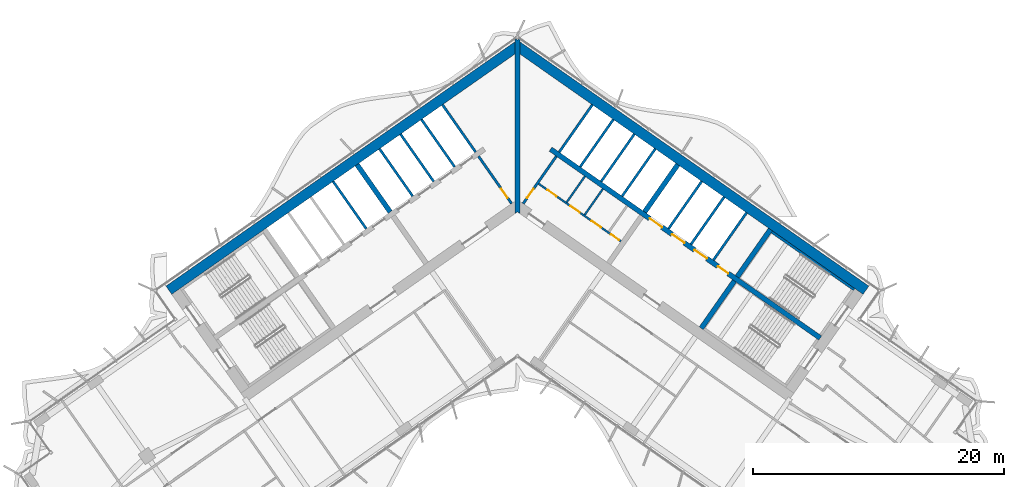
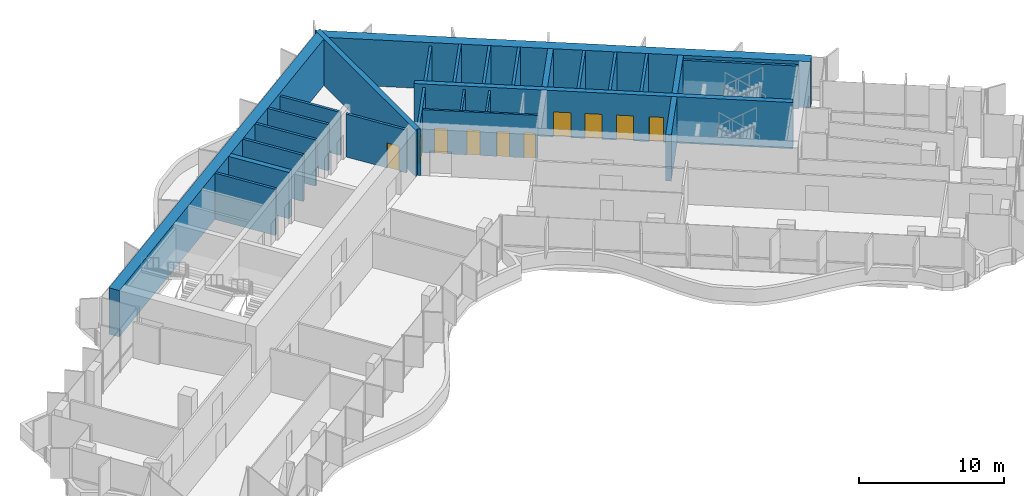
# One storey, part 14 of 21: 26 walls, 10 doors, 10 openings.
"""IFC4 building model written with IfcOpenShell, lengths in metres."""

from ifc_helpers import new_model, si_unit, direction, frame, frame_2d, origin, place, context, subcontext, project, spatial, polyline, rectangle, outline, extrude, material, layer, layer_set, type_object, element, fill, save


model = new_model("IFC4")

# Units and contexts
model_context = context("Model", 3, precision=1e-05, world=origin(), true_north=direction((0.0, 1.0)))
body_context = subcontext(model_context, "Body", "Model", "MODEL_VIEW")
ifc_project = project(units=[si_unit("LENGTHUNIT", "METRE"), si_unit("AREAUNIT", "SQUARE_METRE"), si_unit("VOLUMEUNIT", "CUBIC_METRE"), si_unit("PLANEANGLEUNIT", "RADIAN"), si_unit("MASSUNIT", "GRAM", prefix="KILO")], contexts=[model_context])

# Site, building, storey
site_placement = place(None, origin())
site = spatial("IfcSite", under=ifc_project, at=site_placement, CompositionType="ELEMENT")
building_placement = place(site_placement, origin())
building = spatial("IfcBuilding", under=site, at=building_placement, Name="Tel Ilan Convention Tower", CompositionType="ELEMENT")
storey_placement = place(building_placement, frame((0.0, 0.0, 155.39990234375)))
storey = spatial("IfcBuildingStorey", under=building, at=storey_placement, Name="L35", CompositionType="ELEMENT", Elevation=155.39990234375)

# Wall, openings, doors
ifc_material_1 = material(Name="Gypsum Plasterboard on Steel Stud", Category="steel")
ifc_layer_1 = layer(ifc_material_1, 0.14990234375)
ifc_layer_set_1 = layer_set([ifc_layer_1], Name="Core Room Partition Wall 150 mm EI 60")
wall_type_1 = type_object("IfcWallType", Name="Core Room Partition Wall 150 mm EI 60", PredefinedType="PARTITIONING", material=ifc_layer_set_1)
wall_1_placement = place(storey_placement, frame((1.687744140625, 1.015625, 0.0), z_axis=(0.0, 0.0, 1.0), x_axis=(0.819151624752, -0.573577035512, 0.0)))
wall_1 = element("IfcWall", 1, at=wall_1_placement, inside=storey, type_object=wall_type_1, Name="L35 core wall wc-h1", PredefinedType="PARTITIONING", context=body_context, shape_type="SweptSolid", body=[
    extrude(rectangle(XDim=8.0, YDim=0.14990234375, at=frame_2d((4.0, 0.0))), origin(), (0.0, 0.0, 1.0), 3.6201171875),
])
opening_1_placement = place(wall_1_placement, frame((0.85009765625, 0.0, 0.0)))
opening_1 = element("IfcOpeningElement", 2, at=opening_1_placement, cuts=wall_1, Name="Opening CD2711", PredefinedType="OPENING", context=body_context, shape_type="SweptSolid", body=[
    extrude(rectangle(XDim=0.89990234375, YDim=2.10009765625, at=frame_2d((0.449951171875, 1.050048828125))), frame((0.0, 0.0849609375, 0.0), z_axis=(0.0, -1.0, 0.0), x_axis=(1.0, 0.0, 0.0)), (0.0, 0.0, 1.0), 0.169921875),
])
opening_2_placement = place(wall_1_placement, frame((3.10009765625, 0.0, 0.0)))
opening_2 = element("IfcOpeningElement", 3, at=opening_2_placement, cuts=wall_1, Name="Opening CD2708", PredefinedType="OPENING", context=body_context, shape_type="SweptSolid", body=[
    extrude(rectangle(XDim=0.89990234375, YDim=2.10009765625, at=frame_2d((0.449951171875, 1.050048828125))), frame((0.0, 0.0849609375, 0.0), z_axis=(0.0, -1.0, 0.0), x_axis=(1.0, 0.0, 0.0)), (0.0, 0.0, 1.0), 0.169921875),
])
opening_3_placement = place(wall_1_placement, frame((5.14990234375, 0.0, 0.0)))
opening_3 = element("IfcOpeningElement", 4, at=opening_3_placement, cuts=wall_1, Name="Opening CD2710", PredefinedType="OPENING", context=body_context, shape_type="SweptSolid", body=[
    extrude(rectangle(XDim=0.89990234375, YDim=2.10009765625, at=frame_2d((0.449951171875, 1.050048828125))), frame((0.0, 0.0849609375, 0.0), z_axis=(0.0, -1.0, 0.0), x_axis=(1.0, 0.0, 0.0)), (0.0, 0.0, 1.0), 0.169921875),
])
opening_4_placement = place(wall_1_placement, frame((7.02490234375, 0.0, 0.0)))
opening_4 = element("IfcOpeningElement", 5, at=opening_4_placement, cuts=wall_1, Name="Opening CD2709", PredefinedType="OPENING", context=body_context, shape_type="SweptSolid", body=[
    extrude(rectangle(XDim=0.800048828125, YDim=2.10009765625, at=frame_2d((0.39990234375, 1.050048828125))), frame((0.0, 0.0849609375, 0.0), z_axis=(0.0, -1.0, 0.0), x_axis=(1.0, 0.0, 0.0)), (0.0, 0.0, 1.0), 0.169921875),
])
ifc_material_2 = material(Name="Galvanised Steel Door Leaf", Category="steel")
door_type_1 = type_object("IfcDoorType", Name="Store Door 800 x 2100 FD60", OperationType="NOTDEFINED", PredefinedType="DOOR", material=ifc_material_2)
door_1_placement = place(opening_4_placement, origin())
door_1 = element("IfcDoor", 6, at=door_1_placement, inside=storey, type_object=door_type_1, Name="Cleaner's store door", OperationType="SINGLE_SWING_RIGHT", OverallHeight=2.10009765625, OverallWidth=0.800048828125, PredefinedType="DOOR", context=body_context, shape_type="SweptSolid", body=[
    extrude(rectangle(XDim=0.800048828125, YDim=2.10009765625, at=frame_2d((0.39990234375, 1.050048828125))), frame((0.0, 0.02490234375, 0.0), z_axis=(0.0, -1.0, 0.0), x_axis=(1.0, 0.0, 0.0)), (0.0, 0.0, 1.0), 0.050048828125),
])
fill(opening_4, door_1)
ifc_material_3 = material(Name="Laminated Timber Door Leaf", Category="wood")
door_type_2 = type_object("IfcDoorType", Name="Toilet Door 900 x 2100 FD30S", OperationType="NOTDEFINED", PredefinedType="DOOR", material=ifc_material_3)
door_2_placement = place(opening_1_placement, origin())
door_2 = element("IfcDoor", 7, at=door_2_placement, inside=storey, type_object=door_type_2, Name="Women's WC door", OperationType="SINGLE_SWING_RIGHT", OverallHeight=2.10009765625, OverallWidth=0.89990234375, PredefinedType="DOOR", context=body_context, shape_type="SweptSolid", body=[
    extrude(rectangle(XDim=0.89990234375, YDim=2.10009765625, at=frame_2d((0.449951171875, 1.050048828125))), frame((0.0, 0.02490234375, 0.0), z_axis=(0.0, -1.0, 0.0), x_axis=(1.0, 0.0, 0.0)), (0.0, 0.0, 1.0), 0.050048828125),
])
fill(opening_1, door_2)
door_3_placement = place(opening_2_placement, origin())
door_3 = element("IfcDoor", 8, at=door_3_placement, inside=storey, type_object=door_type_2, Name="Accessible WC door", OperationType="SINGLE_SWING_RIGHT", OverallHeight=2.10009765625, OverallWidth=0.89990234375, PredefinedType="DOOR", context=body_context, shape_type="SweptSolid", body=[
    extrude(rectangle(XDim=0.89990234375, YDim=2.10009765625, at=frame_2d((0.449951171875, 1.050048828125))), frame((0.0, 0.02490234375, 0.0), z_axis=(0.0, -1.0, 0.0), x_axis=(1.0, 0.0, 0.0)), (0.0, 0.0, 1.0), 0.050048828125),
])
fill(opening_2, door_3)
door_4_placement = place(opening_3_placement, origin())
door_4 = element("IfcDoor", 9, at=door_4_placement, inside=storey, type_object=door_type_2, Name="Men's WC door", OperationType="SINGLE_SWING_RIGHT", OverallHeight=2.10009765625, OverallWidth=0.89990234375, PredefinedType="DOOR", context=body_context, shape_type="SweptSolid", body=[
    extrude(rectangle(XDim=0.89990234375, YDim=2.10009765625, at=frame_2d((0.449951171875, 1.050048828125))), frame((0.0, 0.02490234375, 0.0), z_axis=(0.0, -1.0, 0.0), x_axis=(1.0, 0.0, 0.0)), (0.0, 0.0, 1.0), 0.050048828125),
])
fill(opening_3, door_4)

# Walls
for number, where, z_axis, x_axis, name in (
    (10, (3.922119140625, -0.457275390625, 0.0), (0.0, 0.0, 1.0), (0.573566168143, 0.81915923407, 0.0), "L35 core wall wc-v0"),
    (11, (5.35546875, -1.4609375, 0.0), (0.0, 0.0, 1.0), (0.573566168143, 0.81915923407, 0.0), "L35 core wall wc-v1"),
):
    element("IfcWall", number, at=place(storey_placement, frame(where, z_axis=z_axis, x_axis=x_axis)), inside=storey, type_object=wall_type_1, Name=name, PredefinedType="PARTITIONING", context=body_context, shape_type="SweptSolid", body=[
        extrude(rectangle(XDim=2.52490234375, YDim=0.14990234375, at=frame_2d((1.262451171875, 0.0))), origin(), (0.0, 0.0, 1.0), 3.6201171875),
    ])

# Wall, opening, door
ifc_material_4 = material(Name="Concrete C30/37", Category="concrete")
ifc_layer_2 = layer(ifc_material_4, 0.199951171875)
ifc_layer_set_2 = layer_set([ifc_layer_2], Name="Core Service Room Wall 200 mm C30/37")
wall_type_2 = type_object("IfcWallType", Name="Core Service Room Wall 200 mm C30/37", PredefinedType="SOLIDWALL", material=ifc_layer_set_2)
wall_2_placement = place(storey_placement, frame((-0.458740234375, -0.565185546875, 0.0), z_axis=(0.0, 0.0, 1.0), x_axis=(-0.573576324356, 0.819152122709, 0.0)))
wall_2 = element("IfcWall", 12, at=wall_2_placement, inside=storey, type_object=wall_type_2, Name="L35 core wall apex-W", PredefinedType="SOLIDWALL", context=body_context, shape_type="SweptSolid", body=[
    extrude(rectangle(XDim=4.599853515625, YDim=0.199951171875, at=frame_2d((2.2998046875, 0.0))), origin(), (0.0, 0.0, 1.0), 3.6201171875),
])
opening_5_placement = place(wall_2_placement, frame((0.550048828125, 0.0, 0.0)))
opening_5 = element("IfcOpeningElement", 13, at=opening_5_placement, cuts=wall_2, Name="Opening CD2702", PredefinedType="OPENING", context=body_context, shape_type="SweptSolid", body=[
    extrude(rectangle(XDim=0.89990234375, YDim=2.10009765625, at=frame_2d((0.449951171875, 1.050048828125))), frame((0.0, 0.10986328125, 0.0), z_axis=(0.0, -1.0, 0.0), x_axis=(1.0, 0.0, 0.0)), (0.0, 0.0, 1.0), 0.219970703125),
])
ifc_material_5 = material(Name="Galvanised Steel Door Leaf", Category="steel")
door_type_3 = type_object("IfcDoorType", Name="Service Room Door 900 x 2100 FD60", OperationType="NOTDEFINED", PredefinedType="DOOR", material=ifc_material_5)
door_5_placement = place(opening_5_placement, origin())
door_5 = element("IfcDoor", 14, at=door_5_placement, inside=storey, type_object=door_type_3, Name="Telecom Room door", OperationType="SINGLE_SWING_RIGHT", OverallHeight=2.10009765625, OverallWidth=0.89990234375, PredefinedType="DOOR", context=body_context, shape_type="SweptSolid", body=[
    extrude(rectangle(XDim=0.89990234375, YDim=2.10009765625, at=frame_2d((0.449951171875, 1.050048828125))), frame((0.0, 0.02490234375, 0.0), z_axis=(0.0, -1.0, 0.0), x_axis=(1.0, 0.0, 0.0)), (0.0, 0.0, 1.0), 0.050048828125),
])
fill(opening_5, door_5)

# Wall
wall_3_placement = place(storey_placement, frame((-3.32666015625, 3.530517578125, 0.0), z_axis=(0.0, 0.0, 1.0), x_axis=(-0.573576324356, 0.819152122709, 0.0)))
element("IfcWall", 15, at=wall_3_placement, inside=storey, type_object=wall_type_2, Name="L35 core wall apex-W-b", PredefinedType="SOLIDWALL", context=body_context, shape_type="SweptSolid", body=[
    extrude(rectangle(XDim=4.599853515625, YDim=0.199951171875, at=frame_2d((2.2998046875, 0.0))), origin(), (0.0, 0.0, 1.0), 3.6201171875),
])

# Wall, opening, door
wall_4_placement = place(storey_placement, frame((0.458740234375, -0.565185546875, 0.0), z_axis=(0.0, 0.0, 1.0), x_axis=(0.573576324356, 0.819152122709, 0.0)))
wall_4 = element("IfcWall", 16, at=wall_4_placement, inside=storey, type_object=wall_type_2, Name="L35 core wall apex-E", PredefinedType="SOLIDWALL", context=body_context, shape_type="SweptSolid", body=[
    extrude(rectangle(XDim=4.599853515625, YDim=0.199951171875, at=frame_2d((2.2998046875, 0.0))), origin(), (0.0, 0.0, 1.0), 3.6201171875),
])
opening_6_placement = place(wall_4_placement, frame((0.550048828125, 0.0, 0.0)))
opening_6 = element("IfcOpeningElement", 17, at=opening_6_placement, cuts=wall_4, Name="Opening CD2701", PredefinedType="OPENING", context=body_context, shape_type="SweptSolid", body=[
    extrude(rectangle(XDim=0.89990234375, YDim=2.10009765625, at=frame_2d((0.449951171875, 1.050048828125))), frame((0.0, 0.10986328125, 0.0), z_axis=(0.0, -1.0, 0.0), x_axis=(1.0, 0.0, 0.0)), (0.0, 0.0, 1.0), 0.219970703125),
])
door_6_placement = place(opening_6_placement, origin())
door_6 = element("IfcDoor", 18, at=door_6_placement, inside=storey, type_object=door_type_3, Name="Data Room door", OperationType="SINGLE_SWING_RIGHT", OverallHeight=2.10009765625, OverallWidth=0.89990234375, PredefinedType="DOOR", context=body_context, shape_type="SweptSolid", body=[
    extrude(rectangle(XDim=0.89990234375, YDim=2.10009765625, at=frame_2d((0.449951171875, 1.050048828125))), frame((0.0, 0.02490234375, 0.0), z_axis=(0.0, -1.0, 0.0), x_axis=(1.0, 0.0, 0.0)), (0.0, 0.0, 1.0), 0.050048828125),
])
fill(opening_6, door_6)

# Walls
wall_5_placement = place(storey_placement, frame((3.32666015625, 3.530517578125, 0.0), z_axis=(0.0, 0.0, 1.0), x_axis=(0.573576324356, 0.819152122709, 0.0)))
element("IfcWall", 19, at=wall_5_placement, inside=storey, type_object=wall_type_2, Name="L35 core wall apex-E-b", PredefinedType="SOLIDWALL", context=body_context, shape_type="SweptSolid", body=[
    extrude(rectangle(XDim=4.599853515625, YDim=0.199951171875, at=frame_2d((2.2998046875, 0.0))), origin(), (0.0, 0.0, 1.0), 3.6201171875),
])
ifc_material_6 = material(Name="Concrete C50/60", Category="concrete")
ifc_layer_3 = layer(ifc_material_6, 0.39990234375)
ifc_layer_set_3 = layer_set([ifc_layer_3], Name="Core Shear Wall 400 mm C50/60")
wall_type_3 = type_object("IfcWallType", Name="Core Shear Wall 400 mm C50/60", PredefinedType="SHEAR", material=ifc_layer_set_3)
wall_6_placement = place(storey_placement, frame((-10.12548828125, -1.230224609375, 0.0), z_axis=(0.0, 0.0, 1.0), x_axis=(-0.573576324356, 0.819152122709, 0.0)))
element("IfcWall", 20, at=wall_6_placement, inside=storey, type_object=wall_type_3, Name="L35 core wall W-cross1-2", PredefinedType="SHEAR", context=body_context, shape_type="SweptSolid", body=[
    extrude(outline(polyline([(4.60009765625, -0.199951171875), (4.599853515625, 0.199951171875), (0.0, 0.2001953125), (0.0, -0.199951171875), (4.60009765625, -0.199951171875)])), origin(), (0.0, 0.0, 1.0), 3.900146484375),
])
wall_7_placement = place(storey_placement, frame((10.12548828125, -1.230224609375, 0.0), z_axis=(0.0, 0.0, 1.0), x_axis=(0.573576324356, 0.819152122709, 0.0)))
element("IfcWall", 21, at=wall_7_placement, inside=storey, type_object=wall_type_3, Name="L35 core wall E-cross1-2", PredefinedType="SHEAR", context=body_context, shape_type="SweptSolid", body=[
    extrude(outline(polyline([(4.599853515625, -0.199951171875), (4.60009765625, 0.199951171875), (0.0, 0.199951171875), (0.0, -0.2001953125), (4.599853515625, -0.199951171875)])), origin(), (0.0, 0.0, 1.0), 3.900146484375),
])
wall_8_placement = place(storey_placement, frame((14.6298828125, -10.48828125, 0.0), z_axis=(0.0, 0.0, 1.0), x_axis=(0.573611936273, 0.819127185829, 0.0)))
element("IfcWall", 22, at=wall_8_placement, inside=storey, type_object=wall_type_3, Name="L35 core wall E-cross2-1", PredefinedType="SHEAR", context=body_context, shape_type="SweptSolid", body=[
    extrude(outline(polyline([(0.000244140625, 0.199951171875), (0.000244140625, -0.2001953125), (4.60009765625, -0.199951171875), (4.60009765625, 0.2001953125), (0.000244140625, 0.199951171875)])), origin(), (0.0, 0.0, 1.0), 3.900146484375),
])
wall_9_placement = place(storey_placement, frame((17.497802734375, -6.392333984375, 0.0), z_axis=(0.0, 0.0, 1.0), x_axis=(0.573611936273, 0.819127185829, 0.0)))
element("IfcWall", 23, at=wall_9_placement, inside=storey, type_object=wall_type_3, Name="L35 core wall E-cross2-2", PredefinedType="SHEAR", context=body_context, shape_type="SweptSolid", body=[
    extrude(outline(polyline([(4.599853515625, -0.199951171875), (4.599853515625, 0.2001953125), (0.0, 0.199951171875), (0.0, -0.2001953125), (4.599853515625, -0.199951171875)])), origin(), (0.0, 0.0, 1.0), 3.900146484375),
])

# Wall, openings, doors
wall_10_placement = place(storey_placement, frame((2.638427734375, 3.76806640625, 0.0), z_axis=(0.0, 0.0, 1.0), x_axis=(0.81915267502, -0.573575535572, 0.0)))
wall_10 = element("IfcWall", 24, at=wall_10_placement, inside=storey, type_object=wall_type_3, Name="L35 core wall E-spine", PredefinedType="SHEAR", context=body_context, shape_type="SweptSolid", body=[
    extrude(outline(polyline([(0.0, 0.199951171875), (0.0, -0.199951171875), (26.199951171875, -0.199951171875), (26.199951171875, 0.199951171875), (0.0, 0.199951171875)])), origin(), (0.0, 0.0, 1.0), 3.900146484375),
])
opening_7_placement = place(wall_10_placement, frame((9.637451171875, 0.0, 0.0)))
opening_7 = element("IfcOpeningElement", 25, at=opening_7_placement, cuts=wall_10, Name="Opening LD2701", PredefinedType="OPENING", context=body_context, shape_type="SweptSolid", body=[
    extrude(rectangle(XDim=1.199951171875, YDim=2.10009765625, at=frame_2d((0.60009765625, 1.050048828125))), frame((0.0, 0.2099609375, 0.0), z_axis=(0.0, -1.0, 0.0), x_axis=(1.0, 0.0, 0.0)), (0.0, 0.0, 1.0), 0.419921875),
])
opening_8_placement = place(wall_10_placement, frame((11.8125, 0.0, 0.0)))
opening_8 = element("IfcOpeningElement", 26, at=opening_8_placement, cuts=wall_10, Name="Opening LD2702", PredefinedType="OPENING", context=body_context, shape_type="SweptSolid", body=[
    extrude(rectangle(XDim=1.199951171875, YDim=2.10009765625, at=frame_2d((0.60009765625, 1.050048828125))), frame((0.0, 0.2099609375, 0.0), z_axis=(0.0, -1.0, 0.0), x_axis=(1.0, 0.0, 0.0)), (0.0, 0.0, 1.0), 0.419921875),
])
opening_9_placement = place(wall_10_placement, frame((13.987548828125, 0.0, 0.0)))
opening_9 = element("IfcOpeningElement", 27, at=opening_9_placement, cuts=wall_10, Name="Opening LD2703", PredefinedType="OPENING", context=body_context, shape_type="SweptSolid", body=[
    extrude(rectangle(XDim=1.199951171875, YDim=2.10009765625, at=frame_2d((0.60009765625, 1.050048828125))), frame((0.0, 0.2099609375, 0.0), z_axis=(0.0, -1.0, 0.0), x_axis=(1.0, 0.0, 0.0)), (0.0, 0.0, 1.0), 0.419921875),
])
opening_10_placement = place(wall_10_placement, frame((16.262451171875, 0.0, 0.0)))
opening_10 = element("IfcOpeningElement", 28, at=opening_10_placement, cuts=wall_10, Name="Opening CD2707", PredefinedType="OPENING", context=body_context, shape_type="SweptSolid", body=[
    extrude(rectangle(XDim=1.0, YDim=2.10009765625, at=frame_2d((0.5, 1.050048828125))), frame((0.0, 0.2099609375, 0.0), z_axis=(0.0, -1.0, 0.0), x_axis=(1.0, 0.0, 0.0)), (0.0, 0.0, 1.0), 0.419921875),
])
ifc_material_7 = material(Name="Stainless Steel Sliding Door Leaf", Category="steel")
door_type_4 = type_object("IfcDoorType", Name="Lift Landing Door 1200 x 2100 FD120", OperationType="NOTDEFINED", PredefinedType="DOOR", material=ifc_material_7)
door_7_placement = place(opening_7_placement, origin())
door_7 = element("IfcDoor", 29, at=door_7_placement, inside=storey, type_object=door_type_4, Name="Lift FL1 landing door", OperationType="SLIDING_TO_LEFT", OverallHeight=2.10009765625, OverallWidth=1.199951171875, PredefinedType="DOOR", context=body_context, shape_type="SweptSolid", body=[
    extrude(rectangle(XDim=1.199951171875, YDim=2.10009765625, at=frame_2d((0.60009765625, 1.050048828125))), frame((0.0, 0.02490234375, 0.0), z_axis=(0.0, -1.0, 0.0), x_axis=(1.0, 0.0, 0.0)), (0.0, 0.0, 1.0), 0.050048828125),
])
fill(opening_7, door_7)
door_8_placement = place(opening_8_placement, origin())
door_8 = element("IfcDoor", 30, at=door_8_placement, inside=storey, type_object=door_type_4, Name="Lift FL2 landing door", OperationType="SLIDING_TO_RIGHT", OverallHeight=2.10009765625, OverallWidth=1.199951171875, PredefinedType="DOOR", context=body_context, shape_type="SweptSolid", body=[
    extrude(rectangle(XDim=1.199951171875, YDim=2.10009765625, at=frame_2d((0.60009765625, 1.050048828125))), frame((0.0, 0.02490234375, 0.0), z_axis=(0.0, -1.0, 0.0), x_axis=(1.0, 0.0, 0.0)), (0.0, 0.0, 1.0), 0.050048828125),
])
fill(opening_8, door_8)
door_9_placement = place(opening_9_placement, origin())
door_9 = element("IfcDoor", 31, at=door_9_placement, inside=storey, type_object=door_type_4, Name="Lift FL3 landing door", OperationType="SLIDING_TO_LEFT", OverallHeight=2.10009765625, OverallWidth=1.199951171875, PredefinedType="DOOR", context=body_context, shape_type="SweptSolid", body=[
    extrude(rectangle(XDim=1.199951171875, YDim=2.10009765625, at=frame_2d((0.60009765625, 1.050048828125))), frame((0.0, 0.02490234375, 0.0), z_axis=(0.0, -1.0, 0.0), x_axis=(1.0, 0.0, 0.0)), (0.0, 0.0, 1.0), 0.050048828125),
])
fill(opening_9, door_9)
ifc_material_8 = material(Name="Galvanised Steel Door Leaf", Category="steel")
door_type_5 = type_object("IfcDoorType", Name="Service Room Door 1000 x 2100 FD60", OperationType="NOTDEFINED", PredefinedType="DOOR", material=ifc_material_8)
door_10_placement = place(opening_10_placement, origin())
door_10 = element("IfcDoor", 32, at=door_10_placement, inside=storey, type_object=door_type_5, Name="Plant Room door", OperationType="SINGLE_SWING_RIGHT", OverallHeight=2.10009765625, OverallWidth=1.0, PredefinedType="DOOR", context=body_context, shape_type="SweptSolid", body=[
    extrude(rectangle(XDim=1.0, YDim=2.10009765625, at=frame_2d((0.5, 1.050048828125))), frame((0.0, 0.02490234375, 0.0), z_axis=(0.0, -1.0, 0.0), x_axis=(1.0, 0.0, 0.0)), (0.0, 0.0, 1.0), 0.050048828125),
])
fill(opening_10, door_10)

# Walls
wall_11_placement = place(storey_placement, frame((0.0, -1.36083984375, 0.0), z_axis=(0.0, 0.0, 1.0), x_axis=(0.0, 1.0, 0.0)))
element("IfcWall", 33, at=wall_11_placement, inside=storey, type_object=wall_type_3, Name="L35 core wall K-central", PredefinedType="SHEAR", context=body_context, shape_type="SweptSolid", body=[
    extrude(outline(polyline([(0.0, -0.199951171875), (0.14013671875, -0.199951171875), (1.0751953125, -0.199951171875), (12.696044921875, -0.199951171875), (13.812744140625, -0.199951171875), (13.893310546875, -0.199951171875), (13.933349609375, -0.172119140625), (13.812744140625, 0.0), (13.933349609375, 0.172119140625), (13.893310546875, 0.199951171875), (13.812744140625, 0.199951171875), (12.696044921875, 0.199951171875), (1.0751953125, 0.199951171875), (0.14013671875, 0.199951171875), (0.0, 0.199951171875), (0.14013671875, 0.0), (0.0, -0.199951171875)])), origin(), (0.0, 0.0, 1.0), 3.900146484375),
])
ifc_material_9 = material(Name="Concrete C50/60", Category="concrete")
ifc_layer_4 = layer(ifc_material_9, 0.800048828125)
ifc_layer_set_4 = layer_set([ifc_layer_4], Name="Core Shear Wall 800 mm C50/60")
wall_type_4 = type_object("IfcWallType", Name="Core Shear Wall 800 mm C50/60", PredefinedType="SHEAR", material=ifc_layer_set_4)
wall_12_placement = place(storey_placement, frame((0.029296875, 11.984130859375, 0.0), z_axis=(0.0, 0.0, 1.0), x_axis=(-0.819151382952, -0.573577380837, 0.0)))
element("IfcWall", 34, at=wall_12_placement, inside=storey, type_object=wall_type_4, Name="L35 core wall W-back", PredefinedType="SHEAR", context=body_context, shape_type="SweptSolid", body=[
    extrude(outline(polyline([(33.897705078125, 0.39990234375), (0.56005859375, 0.400146484375), (-0.000244140625, -0.39990234375), (33.897705078125, -0.400146484375), (33.897705078125, 0.39990234375)])), origin(), (0.0, 0.0, 1.0), 3.900146484375),
])
wall_13_placement = place(storey_placement, frame((-0.029296875, 11.984130859375, 0.0), z_axis=(0.0, 0.0, 1.0), x_axis=(0.819151382952, -0.573577380837, 0.0)))
element("IfcWall", 35, at=wall_13_placement, inside=storey, type_object=wall_type_4, Name="L35 core wall E-back", PredefinedType="SHEAR", context=body_context, shape_type="SweptSolid", body=[
    extrude(outline(polyline([(33.897705078125, 0.400146484375), (-0.000244140625, 0.39990234375), (0.56005859375, -0.400146484375), (33.897705078125, -0.39990234375), (33.897705078125, 0.400146484375)])), origin(), (0.0, 0.0, 1.0), 3.900146484375),
])
ifc_material_10 = material(Name="Concrete C30/37", Category="concrete")
ifc_layer_5 = layer(ifc_material_10, 0.199951171875)
ifc_layer_set_5 = layer_set([ifc_layer_5], Name="Lift Shaft Wall 200 mm C30/37")
wall_type_5 = type_object("IfcWallType", Name="Lift Shaft Wall 200 mm C30/37", PredefinedType="SOLIDWALL", material=ifc_layer_set_5)
for number, where, z_axis, x_axis, name in (
    (36, (-4.99560546875, 2.36181640625, 0.0), (0.0, 0.0, 1.0), (-0.573576324356, 0.819152122709, 0.0), "L35 core wall bank-W1-p0"),
    (37, (-6.66455078125, 1.193115234375, 0.0), (0.0, 0.0, 1.0), (-0.573576324356, 0.819152122709, 0.0), "L35 core wall bank-W1-p1"),
):
    element("IfcWall", number, at=place(storey_placement, frame(where, z_axis=z_axis, x_axis=x_axis)), inside=storey, type_object=wall_type_5, Name=name, PredefinedType="SOLIDWALL", context=body_context, shape_type="SweptSolid", body=[
        extrude(rectangle(XDim=4.599853515625, YDim=0.199951171875, at=frame_2d((2.2998046875, 0.0))), origin(), (0.0, 0.0, 1.0), 3.900146484375),
    ])
wall_14_placement = place(storey_placement, frame((-8.33349609375, 0.0244140625, 0.0), z_axis=(0.0, 0.0, 1.0), x_axis=(-0.573611936273, 0.819127185829, 0.0)))
element("IfcWall", 38, at=wall_14_placement, inside=storey, type_object=wall_type_5, Name="L35 core wall bank-W1-p2", PredefinedType="SOLIDWALL", context=body_context, shape_type="SweptSolid", body=[
    extrude(rectangle(XDim=4.60009765625, YDim=0.199951171875, at=frame_2d((2.300048828125, 0.0))), origin(), (0.0, 0.0, 1.0), 3.900146484375),
])
for number, where, z_axis, x_axis, name in (
    (39, (-12.030029296875, -2.563720703125, 0.0), (0.0, 0.0, 1.0), (-0.573576324356, 0.819152122709, 0.0), "L35 core wall bank-W2-p0"),
    (40, (4.99560546875, 2.36181640625, 0.0), (0.0, 0.0, 1.0), (0.573576324356, 0.819152122709, 0.0), "L35 core wall bank-E1-p0"),
    (41, (6.66455078125, 1.193115234375, 0.0), (0.0, 0.0, 1.0), (0.573576324356, 0.819152122709, 0.0), "L35 core wall bank-E1-p1"),
):
    element("IfcWall", number, at=place(storey_placement, frame(where, z_axis=z_axis, x_axis=x_axis)), inside=storey, type_object=wall_type_5, Name=name, PredefinedType="SOLIDWALL", context=body_context, shape_type="SweptSolid", body=[
        extrude(rectangle(XDim=4.599853515625, YDim=0.199951171875, at=frame_2d((2.2998046875, 0.0))), origin(), (0.0, 0.0, 1.0), 3.900146484375),
    ])
wall_15_placement = place(storey_placement, frame((8.33349609375, 0.0244140625, 0.0), z_axis=(0.0, 0.0, 1.0), x_axis=(0.573611936273, 0.819127185829, 0.0)))
element("IfcWall", 42, at=wall_15_placement, inside=storey, type_object=wall_type_5, Name="L35 core wall bank-E1-p2", PredefinedType="SOLIDWALL", context=body_context, shape_type="SweptSolid", body=[
    extrude(rectangle(XDim=4.60009765625, YDim=0.199951171875, at=frame_2d((2.300048828125, 0.0))), origin(), (0.0, 0.0, 1.0), 3.900146484375),
])
for number, where, z_axis, x_axis, name in (
    (43, (12.030029296875, -2.563720703125, 0.0), (0.0, 0.0, 1.0), (0.573576324356, 0.819152122709, 0.0), "L35 core wall bank-E2-p0"),
    (44, (13.811767578125, -3.811279296875, 0.0), (0.0, 0.0, 1.0), (0.573576324356, 0.819152122709, 0.0), "L35 core wall bank-E2-p1"),
    (45, (15.593505859375, -5.058837890625, 0.0), (0.0, 0.0, 1.0), (0.573540709186, 0.819177059558, 0.0), "L35 core wall bank-E2-p2"),
):
    element("IfcWall", number, at=place(storey_placement, frame(where, z_axis=z_axis, x_axis=x_axis)), inside=storey, type_object=wall_type_5, Name=name, PredefinedType="SOLIDWALL", context=body_context, shape_type="SweptSolid", body=[
        extrude(rectangle(XDim=4.599853515625, YDim=0.199951171875, at=frame_2d((2.2998046875, 0.0))), origin(), (0.0, 0.0, 1.0), 3.900146484375),
    ])
ifc_material_11 = material(Name="Concrete C30/37", Category="concrete")
ifc_layer_6 = layer(ifc_material_11, 0.199951171875)
ifc_layer_set_6 = layer_set([ifc_layer_6], Name="Stair and Shaft Lining Wall 200 mm C30/37")
wall_type_6 = type_object("IfcWallType", Name="Stair and Shaft Lining Wall 200 mm C30/37", PredefinedType="SOLIDWALL", material=ifc_layer_set_6)
wall_16_placement = place(storey_placement, frame((20.242919921875, -2.821044921875, 0.0), z_axis=(0.0, 0.0, 1.0), x_axis=(0.819141584393, -0.57359137434, 0.0)))
element("IfcWall", 46, at=wall_16_placement, inside=storey, type_object=wall_type_6, Name="L35 core wall lining-S3-t1", PredefinedType="SOLIDWALL", context=body_context, shape_type="SweptSolid", body=[
    extrude(rectangle(XDim=7.999755859375, YDim=0.199951171875, at=frame_2d((4.0, 0.0))), origin(), (0.0, 0.0, 1.0), 3.6201171875),
])

save(model, "model.ifc")
